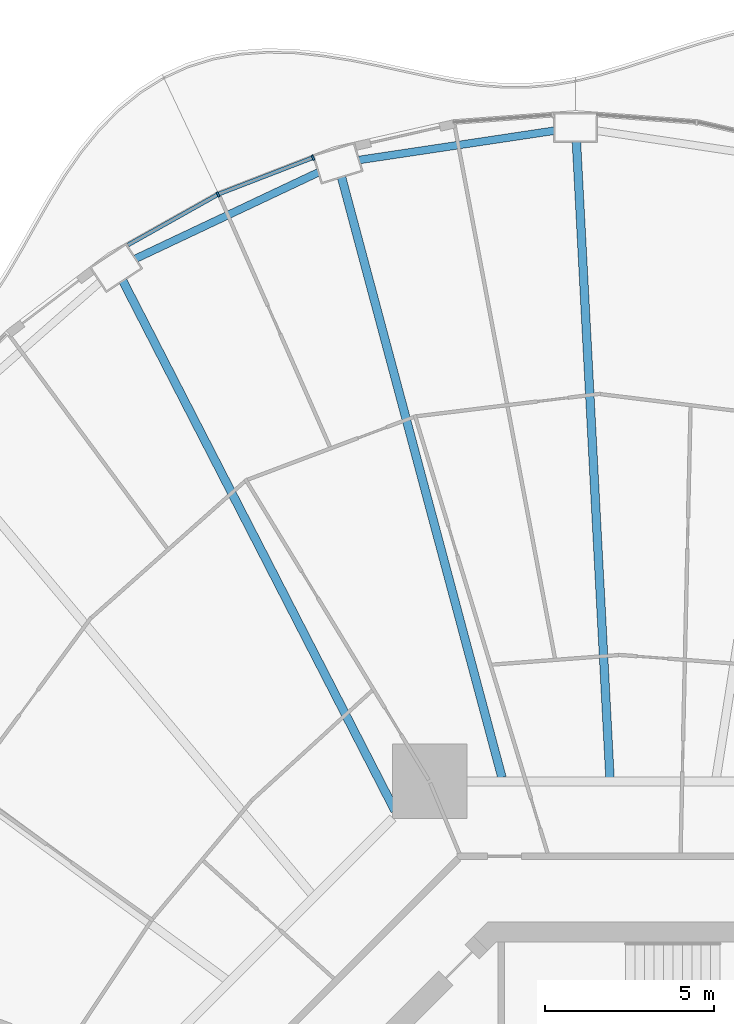
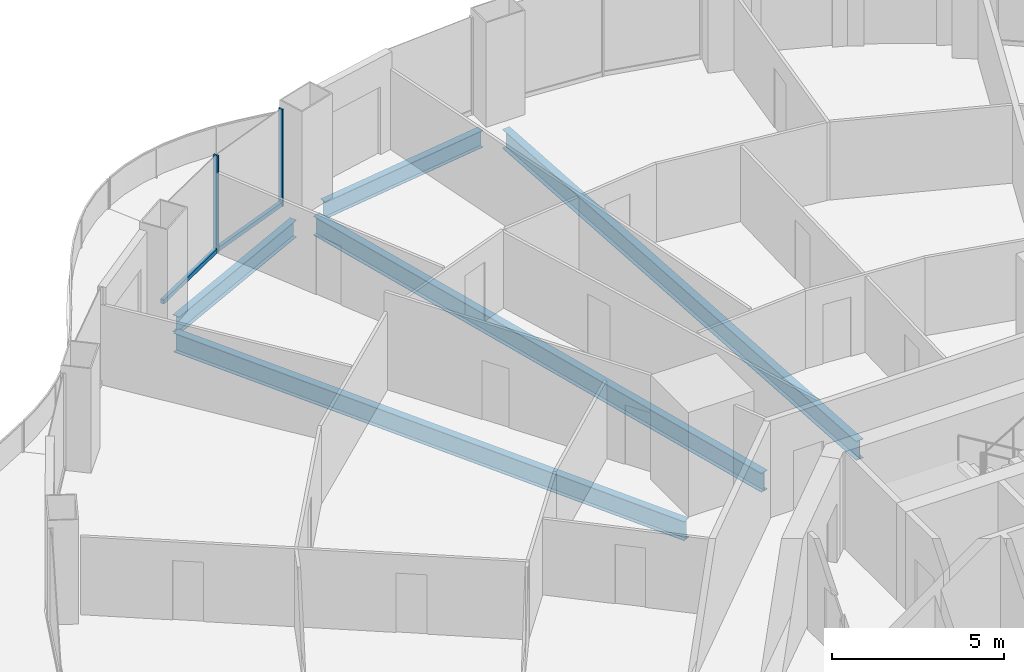
# One storey, part 9 of 22: 5 beams, 4 members, 2 elements without a shape of their own.
"""IFC4 building model written with IfcOpenShell, lengths in metres."""

from ifc_helpers import new_model, si_unit, direction, frame, origin, origin_2d, place, context, subcontext, project, spatial, rectangle, i_section, extrude, material, layer, layer_set, material_profile, profile_set, type_object, element, aggregate, save


model = new_model("IFC4")

# Units and contexts
model_context = context("Model", 3, precision=1e-05, world=origin(), true_north=direction((0.0, 1.0)))
body_context = subcontext(model_context, "Body", "Model", "MODEL_VIEW")
ifc_project = project(units=[si_unit("LENGTHUNIT", "METRE"), si_unit("AREAUNIT", "SQUARE_METRE"), si_unit("VOLUMEUNIT", "CUBIC_METRE"), si_unit("PLANEANGLEUNIT", "RADIAN"), si_unit("MASSUNIT", "GRAM", prefix="KILO")], contexts=[model_context])

# Site, building, storey
site_placement = place(None, origin())
site = spatial("IfcSite", under=ifc_project, at=site_placement, CompositionType="ELEMENT")
building_placement = place(site_placement, origin())
building = spatial("IfcBuilding", under=site, at=building_placement, Name="Nagisa Residences", CompositionType="ELEMENT")
storey_placement = place(building_placement, frame((0.0, 0.0, 91.800048828125)))
storey = spatial("IfcBuildingStorey", under=building, at=storey_placement, Name="L22", CompositionType="ELEMENT", Elevation=91.800048828125)

# Curtain wall, member
ifc_material_1 = material(Name="Concrete-coloured aluminium curtain wall system", Category="concrete")
ifc_layer = layer(ifc_material_1, 0.159912109375)
ifc_layer_set = layer_set([ifc_layer], Name="CW1 CURTAIN WALL")
curtain_wall_type = type_object("IfcCurtainWallType", Name="CW1 CURTAIN WALL", PredefinedType="NOTDEFINED", material=ifc_layer_set)
curtain_wall_1_placement = place(storey_placement, origin())
curtain_wall_1 = element("IfcCurtainWall", 1, at=curtain_wall_1_placement, inside=storey, type_object=curtain_wall_type, Name="cw:CW1:L22:14", PredefinedType="NOTDEFINED")
ifc_material_2 = material(Name="Concrete-coloured aluminium", Category="concrete")
ifc_material_profile_1 = material_profile(ifc_material_2, rectangle(XDim=0.159912109375, YDim=0.06005859375, at=origin_2d()), Name="CW1 MULLION 160x60")
ifc_profile_set_1 = profile_set([ifc_material_profile_1], Name="Concrete-coloured aluminium")
member_type_1 = type_object("IfcMemberType", Name="CW1 MULLION 160x60", PredefinedType="MULLION", material=ifc_profile_set_1)
member_1_placement = place(storey_placement, frame((-9.573486328125, 33.2392578125, 0.0), z_axis=(0.0, 0.0, 1.0), x_axis=(0.360327770268, -0.932825759707, 0.0)))
member_1 = element("IfcMember", 2, at=member_1_placement, type_object=member_type_1, Name="CW1 mullion", PredefinedType="MULLION", context=body_context, shape_type="SweptSolid", body=[
    extrude(rectangle(XDim=0.159912109375, YDim=0.06005859375, at=origin_2d()), origin(), (0.0, 0.0, 1.0), 3.43994140625),
])

curtain_wall_2_placement = place(storey_placement, origin())
curtain_wall_2 = element("IfcCurtainWall", 3, at=curtain_wall_2_placement, inside=storey, type_object=curtain_wall_type, Name="cw:CW1:L22:15", PredefinedType="NOTDEFINED")
member_2_placement = place(storey_placement, frame((-12.385498046875, 32.1494140625, 0.0), z_axis=(0.0, 0.0, 1.0), x_axis=(0.489376918501, -0.872072377523, 0.0)))
member_2 = element("IfcMember", 4, at=member_2_placement, type_object=member_type_1, Name="CW1 mullion", PredefinedType="MULLION", context=body_context, shape_type="SweptSolid", body=[
    extrude(rectangle(XDim=0.159912109375, YDim=0.06005859375, at=origin_2d()), origin(), (0.0, 0.0, 1.0), 3.43994140625),
])

# Member
ifc_material_3 = material(Name="Concrete-coloured aluminium", Category="concrete")
ifc_material_profile_2 = material_profile(ifc_material_3, rectangle(XDim=0.1201171875, YDim=0.14990234375, at=origin_2d()), Name="CW1 TRANSOM 120x150")
ifc_profile_set_2 = profile_set([ifc_material_profile_2], Name="Concrete-coloured aluminium")
member_type_2 = type_object("IfcMemberType", Name="CW1 TRANSOM 120x150", PredefinedType="USERDEFINED", material=ifc_profile_set_2)
member_3_placement = place(storey_placement, frame((-9.54541015625, 33.25, 0.074951171875), z_axis=(-0.932837560624, -0.360297218263, 0.0), x_axis=(0.360297218263, -0.932837560624, 0.0)))
member_3 = element("IfcMember", 5, at=member_3_placement, type_object=member_type_2, Name="CW1 transom", ObjectType="TRANSOM", PredefinedType="USERDEFINED", context=body_context, shape_type="SweptSolid", body=[
    extrude(rectangle(XDim=0.1201171875, YDim=0.14990234375, at=origin_2d()), origin(), (0.0, 0.0, 1.0), 3.027587890625),
])

aggregate(curtain_wall_1, [member_1, member_3])

member_4_placement = place(storey_placement, frame((-12.359375, 32.1640625, 0.074951171875), z_axis=(-0.872037280335, -0.489439456631, 0.0), x_axis=(0.489439456631, -0.872037280335, 0.0)))
member_4 = element("IfcMember", 6, at=member_4_placement, type_object=member_type_2, Name="CW1 transom", ObjectType="TRANSOM", PredefinedType="USERDEFINED", context=body_context, shape_type="SweptSolid", body=[
    extrude(rectangle(XDim=0.1201171875, YDim=0.14990234375, at=origin_2d()), origin(), (0.0, 0.0, 1.0), 3.07568359375),
])

aggregate(curtain_wall_2, [member_2, member_4])

# Beams
ifc_material_4 = material(Name="Steel ASTM A572 Gr 50", Category="steel")
ifc_material_profile_3 = material_profile(ifc_material_4, i_section(OverallWidth=0.22802734375, OverallDepth=0.60302734375, WebThickness=0.010498046875, FlangeThickness=0.014892578125, at=origin_2d()), Name="W610x101")
ifc_profile_set_3 = profile_set([ifc_material_profile_3], Name="Steel ASTM A572 Gr 50")
beam_type_1 = type_object("IfcBeamType", Name="Perimeter ring beam W610x101", PredefinedType="BEAM", material=ifc_profile_set_3)
beam_1_placement = place(storey_placement, frame((-2.43017578125, 34.0380859375, -0.5615234375), z_axis=(-0.988913048607, -0.148495731568, 0.0), x_axis=(0.148495731568, -0.988913048607, 0.0)))
element("IfcBeam", 7, at=beam_1_placement, inside=storey, type_object=beam_type_1, Name="beam:L22:pb07", PredefinedType="BEAM", context=body_context, shape_type="SweptSolid", body=[
    extrude(i_section(OverallWidth=0.22802734375, OverallDepth=0.60302734375, WebThickness=0.010498046875, FlangeThickness=0.014892578125, at=origin_2d()), origin(), (0.0, 0.0, 1.0), 5.843017578125),
])
beam_2_placement = place(storey_placement, frame((-9.41455078125, 32.8037109375, -0.5615234375), z_axis=(-0.90418952838, -0.427131474804, 0.0), x_axis=(0.427131474804, -0.90418952838, 0.0)))
element("IfcBeam", 8, at=beam_2_placement, inside=storey, type_object=beam_type_1, Name="beam:L22:pb08", PredefinedType="BEAM", context=body_context, shape_type="SweptSolid", body=[
    extrude(i_section(OverallWidth=0.22802734375, OverallDepth=0.60302734375, WebThickness=0.010498046875, FlangeThickness=0.014892578125, at=origin_2d()), origin(), (0.0, 0.0, 1.0), 5.98046875),
])
ifc_material_5 = material(Name="Steel ASTM A572 Gr 50", Category="steel")
ifc_material_profile_4 = material_profile(ifc_material_5, i_section(OverallWidth=0.2529296875, OverallDepth=0.677978515625, WebThickness=0.01171875, FlangeThickness=0.016357421875, at=origin_2d()), Name="W690x125")
ifc_profile_set_4 = profile_set([ifc_material_profile_4], Name="Steel ASTM A572 Gr 50")
beam_type_2 = type_object("IfcBeamType", Name="Radial beam W690x125", PredefinedType="BEAM", material=ifc_profile_set_4)
beam_3_placement = place(storey_placement, frame((-1.77734375, 33.70263671875, -0.59912109375), z_axis=(0.05266700958, -0.998612129959, 0.0), x_axis=(0.998612129959, 0.05266700958, 0.0)))
element("IfcBeam", 9, at=beam_3_placement, inside=storey, type_object=beam_type_2, Name="beam:L22:rb07", PredefinedType="BEAM", context=body_context, shape_type="SweptSolid", body=[
    extrude(i_section(OverallWidth=0.2529296875, OverallDepth=0.677978515625, WebThickness=0.01171875, FlangeThickness=0.016357421875, at=origin_2d()), origin(), (0.0, 0.0, 1.0), 18.834228515625),
])
beam_4_placement = place(storey_placement, frame((-8.7275390625, 32.66015625, -0.59912109375), z_axis=(0.258170831181, -0.96609928161, 0.0), x_axis=(0.96609928161, 0.258170831181, 0.0)))
element("IfcBeam", 10, at=beam_4_placement, inside=storey, type_object=beam_type_2, Name="beam:L22:rb08", PredefinedType="BEAM", context=body_context, shape_type="SweptSolid", body=[
    extrude(i_section(OverallWidth=0.2529296875, OverallDepth=0.677978515625, WebThickness=0.01171875, FlangeThickness=0.016357421875, at=origin_2d()), origin(), (0.0, 0.0, 1.0), 18.38818359375),
])
beam_5_placement = place(storey_placement, frame((-15.199951171875, 29.5927734375, -0.59912109375), z_axis=(0.456890609608, -0.889522889448, 0.0), x_axis=(0.889522889448, 0.456890609608, 0.0)))
element("IfcBeam", 11, at=beam_5_placement, inside=storey, type_object=beam_type_2, Name="beam:L22:rb09", PredefinedType="BEAM", context=body_context, shape_type="SweptSolid", body=[
    extrude(i_section(OverallWidth=0.2529296875, OverallDepth=0.677978515625, WebThickness=0.01171875, FlangeThickness=0.016357421875, at=origin_2d()), origin(), (0.0, 0.0, 1.0), 17.622314453125),
])

save(model, "model.ifc")
